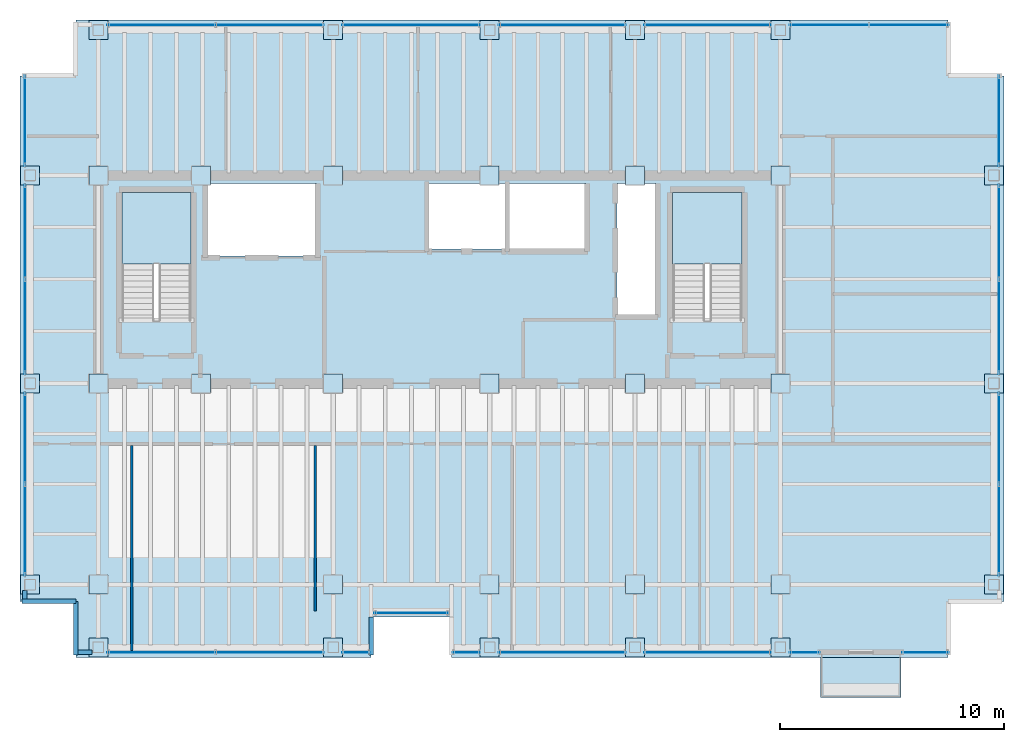
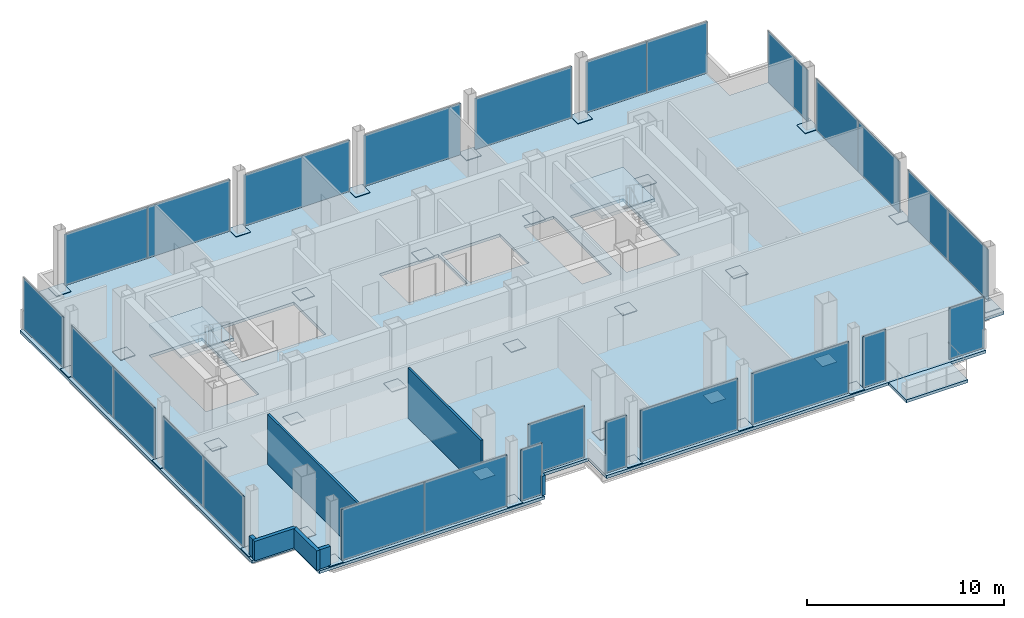
# One storey, part 12 of 16: 59 plates, 7 walls, 4 slabs, 6 openings, 21 elements without a shape of their own.
"""IFC4 building model written with IfcOpenShell, lengths in metres."""

import ifcopenshell
import ifcopenshell.guid

model = None  # the IFC model being written
_history = None  # IfcOwnerHistory: only IFC2X3 demands one
_inside = {}  # id of a spatial element -> (the spatial element, [elements in it])
_under = {}  # id of a project, library or spatial element -> (it, [spatial elements below it])
_declared = {}  # id of a project -> (the project, [libraries it declares])
_typed = {}  # id of a type object -> (the type object, [elements of that type])
_made_of = {}  # id of a material, layer set ... -> (it, [elements and type objects made of it])


def new_model(schema):
    """Start an empty IFC model of exactly this schema.

    Asked for "IFC4X3", IfcOpenShell would pick the latest addendum, in which some entities
    have other attributes; the version numbers below select the first issue.
    IFC2X3 requires an IfcOwnerHistory on every rooted entity: one is made here for all.
    """
    global model, _history
    if schema == "IFC4X3":
        model = ifcopenshell.file(schema_version=(4, 3, 0, 0))
    else:
        model = ifcopenshell.file(schema=schema)
    _inside.clear()
    _under.clear()
    _declared.clear()
    _typed.clear()
    _made_of.clear()
    _history = None
    if model.schema == "IFC2X3":
        org = make("IfcOrganization", Name="unknown")
        user = make(
            "IfcPersonAndOrganization",
            ThePerson=make("IfcPerson", FamilyName="unknown"),
            TheOrganization=org,
        )
        app = make(
            "IfcApplication",
            ApplicationDeveloper=org,
            Version="unknown",
            ApplicationFullName="unknown",
            ApplicationIdentifier="unknown",
        )
        _history = make(
            "IfcOwnerHistory",
            OwningUser=user,
            OwningApplication=app,
            ChangeAction="ADDED",
            CreationDate=0,
        )
    return model


def make(cls, **values):
    """One entity of the class cls with the attributes given. An attribute that is None is left unset."""
    return model.create_entity(
        cls, **{name: value for name, value in values.items() if value is not None}
    )


def rooted(cls, **values):
    """An entity with a GlobalId (a new one), such as an element, a storey or a relation."""
    return make(cls, GlobalId=ifcopenshell.guid.new(), OwnerHistory=_history, **values)


def si_unit(unit_type, name, prefix=None):
    """IfcSIUnit, for example si_unit("LENGTHUNIT", "METRE", prefix="MILLI")."""
    return make("IfcSIUnit", UnitType=unit_type, Prefix=prefix, Name=name)


def assignment(units):
    """IfcUnitAssignment: the units of a project."""
    return None if units is None else make("IfcUnitAssignment", Units=units)


def point(xyz):
    """IfcCartesianPoint."""
    return None if xyz is None else make("IfcCartesianPoint", Coordinates=xyz)


def direction(xyz):
    """IfcDirection."""
    return None if xyz is None else make("IfcDirection", DirectionRatios=xyz)


def frame(location, z_axis=None, x_axis=None):
    """IfcAxis2Placement3D, a coordinate frame: its origin and axes. An axis left out is left unset."""
    return make(
        "IfcAxis2Placement3D",
        Location=point(location),
        Axis=direction(z_axis),
        RefDirection=direction(x_axis),
    )


def frame_2d(location, x_axis=None):
    """IfcAxis2Placement2D, a coordinate frame in the plane: its origin and x axis."""
    return make(
        "IfcAxis2Placement2D", Location=point(location), RefDirection=direction(x_axis)
    )


def origin():
    """The frame at (0, 0, 0) with its axes left unset."""
    return frame((0.0, 0.0, 0.0))


def origin_2d():
    """The frame at (0, 0) in the plane with its x axis left unset."""
    return frame_2d((0.0, 0.0))


def place(relative_to, where):
    """IfcLocalPlacement: puts the frame where relative to a parent placement (None: the world)."""
    return make(
        "IfcLocalPlacement", PlacementRelTo=relative_to, RelativePlacement=where
    )


def context(
    kind, dimensions, precision=None, world=None, true_north=None, identifier=None
):
    """IfcGeometricRepresentationContext, for example the 3D "Model" context."""
    return make(
        "IfcGeometricRepresentationContext",
        ContextIdentifier=identifier,
        ContextType=kind,
        CoordinateSpaceDimension=dimensions,
        Precision=precision,
        WorldCoordinateSystem=world,
        TrueNorth=true_north,
    )


def subcontext(parent, identifier, kind, view, scale=None):
    """IfcGeometricRepresentationSubContext, for example "Body" below "Model"."""
    return make(
        "IfcGeometricRepresentationSubContext",
        ContextIdentifier=identifier,
        ContextType=kind,
        ParentContext=parent,
        TargetScale=scale,
        TargetView=view,
    )


def project(units=None, contexts=None):
    """IfcProject with its units and contexts."""
    return rooted(
        "IfcProject",
        Name="project",
        RepresentationContexts=contexts,
        UnitsInContext=assignment(units),
    )


def spatial(cls, under=None, at=None, **own):
    """A site, building, storey or space (cls), placed at a placement, below another one or the project."""
    s = rooted(cls, ObjectPlacement=at, **own)
    if under is not None:
        _under.setdefault(under.id(), (under, []))[1].append(s)
    return s


def polyline(points):
    """IfcPolyline through the points."""
    return make("IfcPolyline", Points=[point(p) for p in points])


def profile(cls, at=None, kind="AREA", **sizes):
    """A parametric profile (cls). Its sizes go by their IFC names, for example OverallWidth=200.0."""
    return make(cls, ProfileType=kind, Position=at, **sizes)


def rectangle(**sizes):
    """IfcRectangleProfileDef."""
    return profile("IfcRectangleProfileDef", **sizes)


def outline(outer, holes=None, kind="AREA"):
    """IfcArbitraryClosedProfileDef: a profile drawn as a closed curve; with holes, ...WithVoids."""
    if holes is None:
        return make("IfcArbitraryClosedProfileDef", ProfileType=kind, OuterCurve=outer)
    return make(
        "IfcArbitraryProfileDefWithVoids",
        ProfileType=kind,
        OuterCurve=outer,
        InnerCurves=holes,
    )


def extrude(swept, where, along, depth):
    """IfcExtrudedAreaSolid: the profile swept, set in the frame where, extruded along a direction by depth."""
    return make(
        "IfcExtrudedAreaSolid",
        SweptArea=swept,
        Position=where,
        ExtrudedDirection=direction(along),
        Depth=depth,
    )


def shape(context_of_items, identifier, shape_type, items):
    """IfcShapeRepresentation: the items that make up one representation, for example the "Body"."""
    return make(
        "IfcShapeRepresentation",
        ContextOfItems=context_of_items,
        RepresentationIdentifier=identifier,
        RepresentationType=shape_type,
        Items=items,
    )


def material(Name=None, Category=None):
    """IfcMaterial."""
    return make("IfcMaterial", Name=Name, Category=Category)


def layer(
    of_material, thickness, ventilated=None, Name=None, Category=None, Priority=None
):
    """IfcMaterialLayer: one layer of a wall or slab, of a material (None: an air gap)."""
    return make(
        "IfcMaterialLayer",
        Material=of_material,
        LayerThickness=thickness,
        IsVentilated=ventilated,
        Name=Name,
        Category=Category,
        Priority=Priority,
    )


def layer_set(layers, Name=None):
    """IfcMaterialLayerSet."""
    return make("IfcMaterialLayerSet", MaterialLayers=layers, LayerSetName=Name)


def made_of(thing, what):
    """Note that an element or type object is made of a material, layer set ...; save() writes the relation."""
    if what is not None:
        _made_of.setdefault(what.id(), (what, []))[1].append(thing)
    return thing


def type_object(cls, material=None, **own):
    """A type object (cls), such as IfcWallType, which elements share."""
    return made_of(rooted(cls, **own), material)


def element(
    cls,
    number,
    at=None,
    inside=None,
    cuts=None,
    type_object=None,
    material=None,
    context=None,
    identifier="Body",
    shape_type=None,
    held_by="IfcProductDefinitionShape",
    body=None,
    shapes=None,
    **own,
):
    """One element of the class cls, such as IfcWall. Its Tag is "e" and its number.

    at: its placement. inside: the storey or other place that contains it. cuts: it is an
    opening in that element (IfcRelVoidsElement). A single representation is given by context,
    identifier, shape_type and body (its items); several are given by shapes. held_by: the class
    of the entity that holds the representations. save() writes the other relations.
    """
    e = rooted(cls, Tag="e%d" % number, ObjectPlacement=at, **own)
    if body is not None:
        shapes = [shape(context, identifier, shape_type, body)]
    if shapes is not None:
        e.Representation = make(held_by, Representations=shapes)
    if inside is not None:
        _inside.setdefault(inside.id(), (inside, []))[1].append(e)
    if cuts is not None:
        rooted(
            "IfcRelVoidsElement", RelatingBuildingElement=cuts, RelatedOpeningElement=e
        )
    if type_object is not None:
        _typed.setdefault(type_object.id(), (type_object, []))[1].append(e)
    return made_of(e, material)


def aggregate(whole, parts):
    """IfcRelAggregates: a whole, such as a stair, and the parts it consists of."""
    return rooted("IfcRelAggregates", RelatingObject=whole, RelatedObjects=parts)


def save(model, path):
    """Write the relations noted so far, then the file.

    IfcRelAggregates (storeys below a building ...), IfcRelContainedInSpatialStructure (elements
    in a storey), IfcRelDefinesByType, IfcRelAssociatesMaterial and IfcRelDeclares: one each for
    every whole, place, type object, material and project.
    """
    for whole, parts in _under.values():
        aggregate(whole, parts)
    for where, things in _inside.values():
        rooted(
            "IfcRelContainedInSpatialStructure",
            RelatedElements=things,
            RelatingStructure=where,
        )
    for kind, things in _typed.values():
        rooted("IfcRelDefinesByType", RelatedObjects=things, RelatingType=kind)
    for what, things in _made_of.values():
        rooted("IfcRelAssociatesMaterial", RelatedObjects=things, RelatingMaterial=what)
    for by, libraries in _declared.values():
        rooted("IfcRelDeclares", RelatingContext=by, RelatedDefinitions=libraries)
    model.write(path)


model = new_model("IFC4")

# Units and contexts
model_context = context("Model", 3, precision=1e-05, world=origin(), true_north=direction((0.0, 1.0)))
body_context = subcontext(model_context, "Body", "Model", "MODEL_VIEW")
ifc_project = project(units=[si_unit("LENGTHUNIT", "METRE"), si_unit("AREAUNIT", "SQUARE_METRE"), si_unit("VOLUMEUNIT", "CUBIC_METRE"), si_unit("PLANEANGLEUNIT", "RADIAN"), si_unit("MASSUNIT", "GRAM", prefix="KILO")], contexts=[model_context])

# Site, building, storey
site_placement = place(None, origin())
site = spatial("IfcSite", under=ifc_project, at=site_placement, CompositionType="ELEMENT")
building_placement = place(site_placement, origin())
building = spatial("IfcBuilding", under=site, at=building_placement, Name="Noeulbin Bourse Tower", CompositionType="ELEMENT")
storey_placement = place(building_placement, frame((0.0, 0.0, 185.10009765625)))
storey = spatial("IfcBuildingStorey", under=building, at=storey_placement, Name="L46", CompositionType="ELEMENT", Elevation=185.10009765625)

# Curtain wall, plate
ifc_material_1 = material(Name="Dark Tinted Triple Glazing", Category="glass")
curtain_wall_type = type_object("IfcCurtainWallType", Name="CW-SYS-3", PredefinedType="NOTDEFINED", material=ifc_material_1)
curtain_wall_1_placement = place(storey_placement, origin())
curtain_wall_1 = element("IfcCurtainWall", 1, at=curtain_wall_1_placement, inside=storey, type_object=curtain_wall_type, Name="Unitised Curtain Wall CW-L46-SREC", PredefinedType="NOTDEFINED")
ifc_layer_1 = layer(ifc_material_1, 0.035888671875)
ifc_layer_set_1 = layer_set([ifc_layer_1], Name="Dark Tinted Triple Glazing")
plate_type_1 = type_object("IfcPlateType", Name="CW-SYS-3-PNL", PredefinedType="CURTAIN_PANEL", material=ifc_layer_set_1)
plate_1_placement = place(storey_placement, frame((27.5, 18.72998046875, 0.0), z_axis=(0.0, 0.0, 1.0), x_axis=(1.0, 0.0, 0.0)))
plate_1 = element("IfcPlate", 2, at=plate_1_placement, type_object=plate_type_1, Name="Glazed Curtain Panel CW-L46-SREC-P00", PredefinedType="CURTAIN_PANEL", context=body_context, shape_type="SweptSolid", body=[
    extrude(rectangle(XDim=3.300048828125, YDim=0.035888671875, at=origin_2d()), origin(), (0.0, 0.0, 1.0), 3.179931640625),
])
aggregate(curtain_wall_1, [plate_1])

# Curtain wall, plates
curtain_wall_2_placement = place(storey_placement, origin())
curtain_wall_2 = element("IfcCurtainWall", 3, at=curtain_wall_2_placement, inside=storey, type_object=curtain_wall_type, Name="Unitised Curtain Wall CW-L46-S1-S1", PredefinedType="NOTDEFINED")
plate_2_placement = place(storey_placement, frame((16.330078125, 16.969970703125, 0.0), z_axis=(0.0, 0.0, 1.0), x_axis=(1.0, 0.0, 0.0)))
plate_2 = element("IfcPlate", 4, at=plate_2_placement, type_object=plate_type_1, Name="Glazed Curtain Panel CW-L46-S1-S1-P00", PredefinedType="CURTAIN_PANEL", context=body_context, shape_type="SweptSolid", body=[
    extrude(rectangle(XDim=4.840087890625, YDim=0.035888671875, at=origin_2d()), origin(), (0.0, 0.0, 1.0), 3.179931640625),
])
plate_3_placement = place(storey_placement, frame((21.169921875, 16.969970703125, 0.0), z_axis=(0.0, 0.0, 1.0), x_axis=(1.0, 0.0, 0.0)))
plate_3 = element("IfcPlate", 5, at=plate_3_placement, type_object=plate_type_1, Name="Glazed Curtain Panel CW-L46-S1-S1-P01", PredefinedType="CURTAIN_PANEL", context=body_context, shape_type="SweptSolid", body=[
    extrude(rectangle(XDim=4.840087890625, YDim=0.035888671875, at=origin_2d()), origin(), (0.0, 0.0, 1.0), 3.179931640625),
])
aggregate(curtain_wall_2, [plate_2, plate_3])

# Curtain wall, plate
curtain_wall_3_placement = place(storey_placement, origin())
curtain_wall_3 = element("IfcCurtainWall", 6, at=curtain_wall_3_placement, inside=storey, type_object=curtain_wall_type, Name="Unitised Curtain Wall CW-L46-S1-S2", PredefinedType="NOTDEFINED")
plate_4_placement = place(storey_placement, frame((25.030029296875, 16.969970703125, 0.0), z_axis=(0.0, 0.0, 1.0), x_axis=(1.0, 0.0, 0.0)))
plate_4 = element("IfcPlate", 7, at=plate_4_placement, type_object=plate_type_1, Name="Glazed Curtain Panel CW-L46-S1-S2-P00", PredefinedType="CURTAIN_PANEL", context=body_context, shape_type="SweptSolid", body=[
    extrude(rectangle(XDim=1.239990234375, YDim=0.035888671875, at=origin_2d()), origin(), (0.0, 0.0, 1.0), 3.179931640625),
])
aggregate(curtain_wall_3, [plate_4])

curtain_wall_4_placement = place(storey_placement, origin())
curtain_wall_4 = element("IfcCurtainWall", 8, at=curtain_wall_4_placement, inside=storey, type_object=curtain_wall_type, Name="Unitised Curtain Wall CW-L46-S2-S1", PredefinedType="NOTDEFINED")
plate_5_placement = place(storey_placement, frame((29.969970703125, 16.969970703125, 0.0), z_axis=(0.0, 0.0, 1.0), x_axis=(1.0, 0.0, 0.0)))
plate_5 = element("IfcPlate", 9, at=plate_5_placement, type_object=plate_type_1, Name="Glazed Curtain Panel CW-L46-S2-S1-P00", PredefinedType="CURTAIN_PANEL", context=body_context, shape_type="SweptSolid", body=[
    extrude(rectangle(XDim=1.239990234375, YDim=0.035888671875, at=origin_2d()), origin(), (0.0, 0.0, 1.0), 3.179931640625),
])
aggregate(curtain_wall_4, [plate_5])

curtain_wall_5_placement = place(storey_placement, origin())
curtain_wall_5 = element("IfcCurtainWall", 10, at=curtain_wall_5_placement, inside=storey, type_object=curtain_wall_type, Name="Unitised Curtain Wall CW-L46-S2-S2", PredefinedType="NOTDEFINED")
plate_6_placement = place(storey_placement, frame((34.25, 16.969970703125, 0.0), z_axis=(0.0, 0.0, 1.0), x_axis=(1.0, 0.0, 0.0)))
plate_6 = element("IfcPlate", 11, at=plate_6_placement, type_object=plate_type_1, Name="Glazed Curtain Panel CW-L46-S2-S2-P00", PredefinedType="CURTAIN_PANEL", context=body_context, shape_type="SweptSolid", body=[
    extrude(rectangle(XDim=5.679931640625, YDim=0.035888671875, at=origin_2d()), origin(), (0.0, 0.0, 1.0), 3.179931640625),
])
aggregate(curtain_wall_5, [plate_6])

curtain_wall_6_placement = place(storey_placement, origin())
curtain_wall_6 = element("IfcCurtainWall", 12, at=curtain_wall_6_placement, inside=storey, type_object=curtain_wall_type, Name="Unitised Curtain Wall CW-L46-S2-S3", PredefinedType="NOTDEFINED")
plate_7_placement = place(storey_placement, frame((40.75, 16.969970703125, 0.0), z_axis=(0.0, 0.0, 1.0), x_axis=(1.0, 0.0, 0.0)))
plate_7 = element("IfcPlate", 13, at=plate_7_placement, type_object=plate_type_1, Name="Glazed Curtain Panel CW-L46-S2-S3-P00", PredefinedType="CURTAIN_PANEL", context=body_context, shape_type="SweptSolid", body=[
    extrude(rectangle(XDim=5.679931640625, YDim=0.035888671875, at=origin_2d()), origin(), (0.0, 0.0, 1.0), 3.179931640625),
])
aggregate(curtain_wall_6, [plate_7])

curtain_wall_7_placement = place(storey_placement, origin())
curtain_wall_7 = element("IfcCurtainWall", 14, at=curtain_wall_7_placement, inside=storey, type_object=curtain_wall_type, Name="Unitised Curtain Wall CW-L46-S2-S4", PredefinedType="NOTDEFINED")
plate_8_placement = place(storey_placement, frame((45.080078125, 16.969970703125, 0.0), z_axis=(0.0, 0.0, 1.0), x_axis=(1.0, 0.0, 0.0)))
plate_8 = element("IfcPlate", 15, at=plate_8_placement, type_object=plate_type_1, Name="Glazed Curtain Panel CW-L46-S2-S4-P00", PredefinedType="CURTAIN_PANEL", context=body_context, shape_type="SweptSolid", body=[
    extrude(rectangle(XDim=1.340087890625, YDim=0.035888671875, at=origin_2d()), origin(), (0.0, 0.0, 1.0), 3.179931640625),
])
aggregate(curtain_wall_7, [plate_8])

curtain_wall_8_placement = place(storey_placement, origin())
curtain_wall_8 = element("IfcCurtainWall", 16, at=curtain_wall_8_placement, inside=storey, type_object=curtain_wall_type, Name="Unitised Curtain Wall CW-L46-S3", PredefinedType="NOTDEFINED")
plate_9_placement = place(storey_placement, frame((50.485107421875, 16.969970703125, 0.0), z_axis=(0.0, 0.0, 1.0), x_axis=(1.0, 0.0, 0.0)))
plate_9 = element("IfcPlate", 17, at=plate_9_placement, type_object=plate_type_1, Name="Glazed Curtain Panel CW-L46-S3-P00", PredefinedType="CURTAIN_PANEL", context=body_context, shape_type="SweptSolid", body=[
    extrude(rectangle(XDim=2.070068359375, YDim=0.035888671875, at=origin_2d()), origin(), (0.0, 0.0, 1.0), 3.179931640625),
])
aggregate(curtain_wall_8, [plate_9])

# Curtain wall, plates
curtain_wall_9_placement = place(storey_placement, origin())
curtain_wall_9 = element("IfcCurtainWall", 18, at=curtain_wall_9_placement, inside=storey, type_object=curtain_wall_type, Name="Unitised Curtain Wall CW-L46-N-S1", PredefinedType="NOTDEFINED")
plate_10_placement = place(storey_placement, frame((16.330078125, 45.030029296875, 0.0), z_axis=(0.0, 0.0, 1.0), x_axis=(1.0, 0.0, 0.0)))
plate_10 = element("IfcPlate", 19, at=plate_10_placement, type_object=plate_type_1, Name="Glazed Curtain Panel CW-L46-N-S1-P00", PredefinedType="CURTAIN_PANEL", context=body_context, shape_type="SweptSolid", body=[
    extrude(rectangle(XDim=4.840087890625, YDim=0.035888671875, at=origin_2d()), origin(), (0.0, 0.0, 1.0), 3.179931640625),
])
plate_11_placement = place(storey_placement, frame((21.169921875, 45.030029296875, 0.0), z_axis=(0.0, 0.0, 1.0), x_axis=(1.0, 0.0, 0.0)))
plate_11 = element("IfcPlate", 20, at=plate_11_placement, type_object=plate_type_1, Name="Glazed Curtain Panel CW-L46-N-S1-P01", PredefinedType="CURTAIN_PANEL", context=body_context, shape_type="SweptSolid", body=[
    extrude(rectangle(XDim=4.840087890625, YDim=0.035888671875, at=origin_2d()), origin(), (0.0, 0.0, 1.0), 3.179931640625),
])
aggregate(curtain_wall_9, [plate_10, plate_11])

# Curtain wall, plate
curtain_wall_10_placement = place(storey_placement, origin())
curtain_wall_10 = element("IfcCurtainWall", 21, at=curtain_wall_10_placement, inside=storey, type_object=curtain_wall_type, Name="Unitised Curtain Wall CW-L46-N-S2", PredefinedType="NOTDEFINED")
plate_12_placement = place(storey_placement, frame((27.5, 45.030029296875, 0.0), z_axis=(0.0, 0.0, 1.0), x_axis=(1.0, 0.0, 0.0)))
plate_12 = element("IfcPlate", 22, at=plate_12_placement, type_object=plate_type_1, Name="Glazed Curtain Panel CW-L46-N-S2-P00", PredefinedType="CURTAIN_PANEL", context=body_context, shape_type="SweptSolid", body=[
    extrude(rectangle(XDim=6.179931640625, YDim=0.035888671875, at=origin_2d()), origin(), (0.0, 0.0, 1.0), 3.179931640625),
])
aggregate(curtain_wall_10, [plate_12])

curtain_wall_11_placement = place(storey_placement, origin())
curtain_wall_11 = element("IfcCurtainWall", 23, at=curtain_wall_11_placement, inside=storey, type_object=curtain_wall_type, Name="Unitised Curtain Wall CW-L46-N-S3", PredefinedType="NOTDEFINED")
plate_13_placement = place(storey_placement, frame((34.25, 45.030029296875, 0.0), z_axis=(0.0, 0.0, 1.0), x_axis=(1.0, 0.0, 0.0)))
plate_13 = element("IfcPlate", 24, at=plate_13_placement, type_object=plate_type_1, Name="Glazed Curtain Panel CW-L46-N-S3-P00", PredefinedType="CURTAIN_PANEL", context=body_context, shape_type="SweptSolid", body=[
    extrude(rectangle(XDim=5.679931640625, YDim=0.035888671875, at=origin_2d()), origin(), (0.0, 0.0, 1.0), 3.179931640625),
])
aggregate(curtain_wall_11, [plate_13])

curtain_wall_12_placement = place(storey_placement, origin())
curtain_wall_12 = element("IfcCurtainWall", 25, at=curtain_wall_12_placement, inside=storey, type_object=curtain_wall_type, Name="Unitised Curtain Wall CW-L46-N-S4", PredefinedType="NOTDEFINED")
plate_14_placement = place(storey_placement, frame((40.75, 45.030029296875, 0.0), z_axis=(0.0, 0.0, 1.0), x_axis=(1.0, 0.0, 0.0)))
plate_14 = element("IfcPlate", 26, at=plate_14_placement, type_object=plate_type_1, Name="Glazed Curtain Panel CW-L46-N-S4-P00", PredefinedType="CURTAIN_PANEL", context=body_context, shape_type="SweptSolid", body=[
    extrude(rectangle(XDim=5.679931640625, YDim=0.035888671875, at=origin_2d()), origin(), (0.0, 0.0, 1.0), 3.179931640625),
])
aggregate(curtain_wall_12, [plate_14])

# Curtain wall, plates
curtain_wall_13_placement = place(storey_placement, origin())
curtain_wall_13 = element("IfcCurtainWall", 27, at=curtain_wall_13_placement, inside=storey, type_object=curtain_wall_type, Name="Unitised Curtain Wall CW-L46-N-S5", PredefinedType="NOTDEFINED")
plate_15_placement = place(storey_placement, frame((46.1875, 45.030029296875, 0.0), z_axis=(0.0, 0.0, 1.0), x_axis=(1.0, 0.0, 0.0)))
plate_15 = element("IfcPlate", 28, at=plate_15_placement, type_object=plate_type_1, Name="Glazed Curtain Panel CW-L46-N-S5-P00", PredefinedType="CURTAIN_PANEL", context=body_context, shape_type="SweptSolid", body=[
    extrude(rectangle(XDim=3.554931640625, YDim=0.035888671875, at=origin_2d()), origin(), (0.0, 0.0, 1.0), 3.179931640625),
])
plate_16_placement = place(storey_placement, frame((49.742431640625, 45.030029296875, 0.0), z_axis=(0.0, 0.0, 1.0), x_axis=(1.0, 0.0, 0.0)))
plate_16 = element("IfcPlate", 29, at=plate_16_placement, type_object=plate_type_1, Name="Glazed Curtain Panel CW-L46-N-S5-P01", PredefinedType="CURTAIN_PANEL", context=body_context, shape_type="SweptSolid", body=[
    extrude(rectangle(XDim=3.554931640625, YDim=0.035888671875, at=origin_2d()), origin(), (0.0, 0.0, 1.0), 3.179931640625),
])
aggregate(curtain_wall_13, [plate_15, plate_16])

curtain_wall_14_placement = place(storey_placement, origin())
curtain_wall_14 = element("IfcCurtainWall", 30, at=curtain_wall_14_placement, inside=storey, type_object=curtain_wall_type, Name="Unitised Curtain Wall CW-L46-W-S1", PredefinedType="NOTDEFINED")
plate_17_placement = place(storey_placement, frame((10.219970703125, 22.455078125, 0.0), z_axis=(0.0, 0.0, 1.0), x_axis=(0.0, 1.0, 0.0)))
plate_17 = element("IfcPlate", 31, at=plate_17_placement, type_object=plate_type_1, Name="Glazed Curtain Panel CW-L46-W-S1-P00", PredefinedType="CURTAIN_PANEL", context=body_context, shape_type="SweptSolid", body=[
    extrude(rectangle(XDim=4.090087890625, YDim=0.035888671875, at=origin_2d()), origin(), (0.0, 0.0, 1.0), 3.179931640625),
])
plate_18_placement = place(storey_placement, frame((10.219970703125, 26.544921875, 0.0), z_axis=(0.0, 0.0, 1.0), x_axis=(0.0, 1.0, 0.0)))
plate_18 = element("IfcPlate", 32, at=plate_18_placement, type_object=plate_type_1, Name="Glazed Curtain Panel CW-L46-W-S1-P01", PredefinedType="CURTAIN_PANEL", context=body_context, shape_type="SweptSolid", body=[
    extrude(rectangle(XDim=4.090087890625, YDim=0.035888671875, at=origin_2d()), origin(), (0.0, 0.0, 1.0), 3.179931640625),
])
aggregate(curtain_wall_14, [plate_17, plate_18])

curtain_wall_15_placement = place(storey_placement, origin())
curtain_wall_15 = element("IfcCurtainWall", 33, at=curtain_wall_15_placement, inside=storey, type_object=curtain_wall_type, Name="Unitised Curtain Wall CW-L46-W-S2", PredefinedType="NOTDEFINED")
plate_19_placement = place(storey_placement, frame((10.219970703125, 31.530029296875, 0.0), z_axis=(0.0, 0.0, 1.0), x_axis=(0.0, 1.0, 0.0)))
plate_19 = element("IfcPlate", 34, at=plate_19_placement, type_object=plate_type_1, Name="Glazed Curtain Panel CW-L46-W-S2-P00", PredefinedType="CURTAIN_PANEL", context=body_context, shape_type="SweptSolid", body=[
    extrude(rectangle(XDim=4.239990234375, YDim=0.035888671875, at=origin_2d()), origin(), (0.0, 0.0, 1.0), 3.179931640625),
])
plate_20_placement = place(storey_placement, frame((10.219970703125, 35.77001953125, 0.0), z_axis=(0.0, 0.0, 1.0), x_axis=(0.0, 1.0, 0.0)))
plate_20 = element("IfcPlate", 35, at=plate_20_placement, type_object=plate_type_1, Name="Glazed Curtain Panel CW-L46-W-S2-P01", PredefinedType="CURTAIN_PANEL", context=body_context, shape_type="SweptSolid", body=[
    extrude(rectangle(XDim=4.239990234375, YDim=0.035888671875, at=origin_2d()), origin(), (0.0, 0.0, 1.0), 3.179931640625),
])
aggregate(curtain_wall_15, [plate_19, plate_20])

# Curtain wall, plate
curtain_wall_16_placement = place(storey_placement, origin())
curtain_wall_16 = element("IfcCurtainWall", 36, at=curtain_wall_16_placement, inside=storey, type_object=curtain_wall_type, Name="Unitised Curtain Wall CW-L46-W-S3", PredefinedType="NOTDEFINED")
plate_21_placement = place(storey_placement, frame((10.219970703125, 40.739990234375, 0.0), z_axis=(0.0, 0.0, 1.0), x_axis=(0.0, 1.0, 0.0)))
plate_21 = element("IfcPlate", 37, at=plate_21_placement, type_object=plate_type_1, Name="Glazed Curtain Panel CW-L46-W-S3-P00", PredefinedType="CURTAIN_PANEL", context=body_context, shape_type="SweptSolid", body=[
    extrude(rectangle(XDim=4.06005859375, YDim=0.035888671875, at=origin_2d()), origin(), (0.0, 0.0, 1.0), 3.179931640625),
])
aggregate(curtain_wall_16, [plate_21])

# Curtain wall, plates
curtain_wall_17_placement = place(storey_placement, origin())
curtain_wall_17 = element("IfcCurtainWall", 38, at=curtain_wall_17_placement, inside=storey, type_object=curtain_wall_type, Name="Unitised Curtain Wall CW-L46-E-S1", PredefinedType="NOTDEFINED")
plate_22_placement = place(storey_placement, frame((53.780029296875, 22.455078125, 0.0), z_axis=(0.0, 0.0, 1.0), x_axis=(0.0, 1.0, 0.0)))
plate_22 = element("IfcPlate", 39, at=plate_22_placement, type_object=plate_type_1, Name="Glazed Curtain Panel CW-L46-E-S1-P00", PredefinedType="CURTAIN_PANEL", context=body_context, shape_type="SweptSolid", body=[
    extrude(rectangle(XDim=4.090087890625, YDim=0.035888671875, at=origin_2d()), origin(), (0.0, 0.0, 1.0), 3.179931640625),
])
plate_23_placement = place(storey_placement, frame((53.780029296875, 26.544921875, 0.0), z_axis=(0.0, 0.0, 1.0), x_axis=(0.0, 1.0, 0.0)))
plate_23 = element("IfcPlate", 40, at=plate_23_placement, type_object=plate_type_1, Name="Glazed Curtain Panel CW-L46-E-S1-P01", PredefinedType="CURTAIN_PANEL", context=body_context, shape_type="SweptSolid", body=[
    extrude(rectangle(XDim=4.090087890625, YDim=0.035888671875, at=origin_2d()), origin(), (0.0, 0.0, 1.0), 3.179931640625),
])
aggregate(curtain_wall_17, [plate_22, plate_23])

curtain_wall_18_placement = place(storey_placement, origin())
curtain_wall_18 = element("IfcCurtainWall", 41, at=curtain_wall_18_placement, inside=storey, type_object=curtain_wall_type, Name="Unitised Curtain Wall CW-L46-E-S2", PredefinedType="NOTDEFINED")
plate_24_placement = place(storey_placement, frame((53.780029296875, 31.530029296875, 0.0), z_axis=(0.0, 0.0, 1.0), x_axis=(0.0, 1.0, 0.0)))
plate_24 = element("IfcPlate", 42, at=plate_24_placement, type_object=plate_type_1, Name="Glazed Curtain Panel CW-L46-E-S2-P00", PredefinedType="CURTAIN_PANEL", context=body_context, shape_type="SweptSolid", body=[
    extrude(rectangle(XDim=4.239990234375, YDim=0.035888671875, at=origin_2d()), origin(), (0.0, 0.0, 1.0), 3.179931640625),
])
plate_25_placement = place(storey_placement, frame((53.780029296875, 35.77001953125, 0.0), z_axis=(0.0, 0.0, 1.0), x_axis=(0.0, 1.0, 0.0)))
plate_25 = element("IfcPlate", 43, at=plate_25_placement, type_object=plate_type_1, Name="Glazed Curtain Panel CW-L46-E-S2-P01", PredefinedType="CURTAIN_PANEL", context=body_context, shape_type="SweptSolid", body=[
    extrude(rectangle(XDim=4.239990234375, YDim=0.035888671875, at=origin_2d()), origin(), (0.0, 0.0, 1.0), 3.179931640625),
])
aggregate(curtain_wall_18, [plate_24, plate_25])

# Curtain wall, plate
curtain_wall_19_placement = place(storey_placement, origin())
curtain_wall_19 = element("IfcCurtainWall", 44, at=curtain_wall_19_placement, inside=storey, type_object=curtain_wall_type, Name="Unitised Curtain Wall CW-L46-E-S3", PredefinedType="NOTDEFINED")
plate_26_placement = place(storey_placement, frame((53.780029296875, 40.739990234375, 0.0), z_axis=(0.0, 0.0, 1.0), x_axis=(0.0, 1.0, 0.0)))
plate_26 = element("IfcPlate", 45, at=plate_26_placement, type_object=plate_type_1, Name="Glazed Curtain Panel CW-L46-E-S3-P00", PredefinedType="CURTAIN_PANEL", context=body_context, shape_type="SweptSolid", body=[
    extrude(rectangle(XDim=4.06005859375, YDim=0.035888671875, at=origin_2d()), origin(), (0.0, 0.0, 1.0), 3.179931640625),
])
aggregate(curtain_wall_19, [plate_26])

# Plates
ifc_material_2 = material(Name="Steel S355", Category="steel")
ifc_layer_2 = layer(ifc_material_2, 0.030029296875)
ifc_layer_set_2 = layer_set([ifc_layer_2], Name="Steel S355")
plate_type_2 = type_object("IfcPlateType", Name="PLT-BN1", PredefinedType="USERDEFINED", material=ifc_layer_set_2)
for number, where, z_axis, x_axis, name in (
    (46, (13.5, 29.0, 0.0048828125), (0.0, 0.0, 1.0), (1.0, 0.0, 0.0), "Mega-Column Splice Plate BN1-L46-01"),
    (47, (13.5, 38.300048828125, 0.0048828125), (0.0, 0.0, 1.0), (1.0, 0.0, 0.0), "Mega-Column Splice Plate BN1-L46-02"),
    (48, (18.10009765625, 29.0, 0.0048828125), (0.0, 0.0, 1.0), (1.0, 0.0, 0.0), "Mega-Column Splice Plate BN1-L46-03"),
    (49, (18.10009765625, 38.300048828125, 0.0048828125), (0.0, 0.0, 1.0), (1.0, 0.0, 0.0), "Mega-Column Splice Plate BN1-L46-04"),
    (50, (24.0, 29.0, 0.0048828125), (0.0, 0.0, 1.0), (1.0, 0.0, 0.0), "Mega-Column Splice Plate BN1-L46-05"),
    (51, (24.0, 38.300048828125, 0.0048828125), (0.0, 0.0, 1.0), (1.0, 0.0, 0.0), "Mega-Column Splice Plate BN1-L46-06"),
    (52, (31.0, 29.0, 0.0048828125), (0.0, 0.0, 1.0), (1.0, 0.0, 0.0), "Mega-Column Splice Plate BN1-L46-07"),
    (53, (31.0, 38.300048828125, 0.0048828125), (0.0, 0.0, 1.0), (1.0, 0.0, 0.0), "Mega-Column Splice Plate BN1-L46-08"),
    (54, (37.5, 29.0, 0.0048828125), (0.0, 0.0, 1.0), (1.0, 0.0, 0.0), "Mega-Column Splice Plate BN1-L46-09"),
    (55, (37.5, 38.300048828125, 0.0048828125), (0.0, 0.0, 1.0), (1.0, 0.0, 0.0), "Mega-Column Splice Plate BN1-L46-10"),
    (56, (44.0, 29.0, 0.0048828125), (0.0, 0.0, 1.0), (1.0, 0.0, 0.0), "Mega-Column Splice Plate BN1-L46-11"),
    (57, (44.0, 38.300048828125, 0.0048828125), (0.0, 0.0, 1.0), (1.0, 0.0, 0.0), "Mega-Column Splice Plate BN1-L46-12"),
    (58, (13.5, 20.0, 0.0048828125), (0.0, 0.0, 1.0), (1.0, 0.0, 0.0), "Mega-Column Splice Plate BN1-L46-13"),
    (59, (24.0, 20.0, 0.0048828125), (0.0, 0.0, 1.0), (1.0, 0.0, 0.0), "Mega-Column Splice Plate BN1-L46-14"),
    (60, (31.0, 20.0, 0.0048828125), (0.0, 0.0, 1.0), (1.0, 0.0, 0.0), "Mega-Column Splice Plate BN1-L46-15"),
    (61, (37.5, 20.0, 0.0048828125), (0.0, 0.0, 1.0), (1.0, 0.0, 0.0), "Mega-Column Splice Plate BN1-L46-16"),
    (62, (44.0, 20.0, 0.0048828125), (0.0, 0.0, 1.0), (1.0, 0.0, 0.0), "Mega-Column Splice Plate BN1-L46-17"),
    (63, (10.449951171875, 20.0, 0.0048828125), (0.0, 0.0, 1.0), (1.0, 0.0, 0.0), "Perimeter Column Splice Plate BN1-L46-01"),
    (64, (10.449951171875, 29.0, 0.0048828125), (0.0, 0.0, 1.0), (1.0, 0.0, 0.0), "Perimeter Column Splice Plate BN1-L46-02"),
    (65, (10.449951171875, 38.300048828125, 0.0048828125), (0.0, 0.0, 1.0), (1.0, 0.0, 0.0), "Perimeter Column Splice Plate BN1-L46-03"),
    (66, (13.5, 17.199951171875, 0.0048828125), (0.0, 0.0, 1.0), (1.0, 0.0, 0.0), "Perimeter Column Splice Plate BN1-L46-04"),
    (67, (13.5, 44.800048828125, 0.0048828125), (0.0, 0.0, 1.0), (1.0, 0.0, 0.0), "Perimeter Column Splice Plate BN1-L46-05"),
    (68, (24.0, 17.199951171875, 0.0048828125), (0.0, 0.0, 1.0), (1.0, 0.0, 0.0), "Perimeter Column Splice Plate BN1-L46-06"),
    (69, (24.0, 44.800048828125, 0.0048828125), (0.0, 0.0, 1.0), (1.0, 0.0, 0.0), "Perimeter Column Splice Plate BN1-L46-07"),
    (70, (31.0, 17.199951171875, 0.0048828125), (0.0, 0.0, 1.0), (1.0, 0.0, 0.0), "Perimeter Column Splice Plate BN1-L46-08"),
    (71, (31.0, 44.800048828125, 0.0048828125), (0.0, 0.0, 1.0), (1.0, 0.0, 0.0), "Perimeter Column Splice Plate BN1-L46-09"),
    (72, (37.5, 17.199951171875, 0.0048828125), (0.0, 0.0, 1.0), (1.0, 0.0, 0.0), "Perimeter Column Splice Plate BN1-L46-10"),
    (73, (37.5, 44.800048828125, 0.0048828125), (0.0, 0.0, 1.0), (1.0, 0.0, 0.0), "Perimeter Column Splice Plate BN1-L46-11"),
    (74, (44.0, 17.199951171875, 0.0048828125), (0.0, 0.0, 1.0), (1.0, 0.0, 0.0), "Perimeter Column Splice Plate BN1-L46-12"),
    (75, (44.0, 44.800048828125, 0.0048828125), (0.0, 0.0, 1.0), (1.0, 0.0, 0.0), "Perimeter Column Splice Plate BN1-L46-13"),
    (76, (53.550048828125, 20.0, 0.0048828125), (0.0, 0.0, 1.0), (1.0, 0.0, 0.0), "Perimeter Column Splice Plate BN1-L46-14"),
    (77, (53.550048828125, 29.0, 0.0048828125), (0.0, 0.0, 1.0), (1.0, 0.0, 0.0), "Perimeter Column Splice Plate BN1-L46-15"),
    (78, (53.550048828125, 38.300048828125, 0.0048828125), (0.0, 0.0, 1.0), (1.0, 0.0, 0.0), "Perimeter Column Splice Plate BN1-L46-16"),
):
    element("IfcPlate", number, at=place(storey_placement, frame(where, z_axis=z_axis, x_axis=x_axis)), inside=storey, type_object=plate_type_2, Name=name, ObjectType="SPLICE PLATE", PredefinedType="USERDEFINED", context=body_context, shape_type="SweptSolid", body=[
        extrude(rectangle(XDim=0.85009765625, YDim=0.85009765625, at=origin_2d()), origin(), (0.0, 0.0, 1.0), 0.030029296875),
    ])

# Stair, slab
ifc_material_3 = material(Name="Concrete C40/50", Category="concrete")
stair_type = type_object("IfcStairType", Name="STR-CORE-1560", PredefinedType="HALF_TURN_STAIR", material=ifc_material_3)
stair_1_placement = place(storey_placement, origin())
stair_1 = element("IfcStair", 79, at=stair_1_placement, inside=storey, type_object=stair_type, Name="L46 ST-1", PredefinedType="HALF_TURN_STAIR")
ifc_layer_3 = layer(ifc_material_3, 0.199951171875)
ifc_layer_set_3 = layer_set([ifc_layer_3], Name="Concrete C40/50")
slab_type_1 = type_object("IfcSlabType", Name="SLB-LND-200", PredefinedType="LANDING", material=ifc_layer_set_3)
slab_1_placement = place(storey_placement, frame((0.0, 0.0, 1.75)))
slab_1 = element("IfcSlab", 80, at=slab_1_placement, type_object=slab_type_1, Name="ST-1 landing 1", PredefinedType="LANDING", context=body_context, shape_type="SweptSolid", body=[
    extrude(outline(polyline([(17.64990234375, 34.330078125), (17.64990234375, 37.5439453125), (14.550048828125, 37.5439453125), (14.550048828125, 34.330078125), (17.64990234375, 34.330078125)])), origin(), (0.0, 0.0, 1.0), 0.199951171875),
])
aggregate(stair_1, [slab_1])

stair_2_placement = place(storey_placement, origin())
stair_2 = element("IfcStair", 81, at=stair_2_placement, inside=storey, type_object=stair_type, Name="L46 ST-2", PredefinedType="HALF_TURN_STAIR")
slab_2_placement = place(storey_placement, frame((0.0, 0.0, 1.75)))
slab_2 = element("IfcSlab", 82, at=slab_2_placement, type_object=slab_type_1, Name="ST-2 landing 1", PredefinedType="LANDING", context=body_context, shape_type="SweptSolid", body=[
    extrude(outline(polyline([(42.280029296875, 34.330078125), (42.280029296875, 37.5439453125), (39.179931640625, 37.5439453125), (39.179931640625, 34.330078125), (42.280029296875, 34.330078125)])), origin(), (0.0, 0.0, 1.0), 0.199951171875),
])
aggregate(stair_2, [slab_2])

# Slab, openings
ifc_layer_4 = layer(ifc_material_3, 0.179931640625)
ifc_layer_set_4 = layer_set([ifc_layer_4], Name="Concrete C40/50")
slab_type_2 = type_object("IfcSlabType", Name="SLB-TYP-180", PredefinedType="FLOOR", material=ifc_layer_set_4)
slab_3_placement = place(storey_placement, frame((0.0, 0.0, -0.18017578125)))
slab_3 = element("IfcSlab", 83, at=slab_3_placement, inside=storey, type_object=slab_type_2, Name="Tower Structural Floor Slab L46", PredefinedType="FLOOR", context=body_context, shape_type="SweptSolid", body=[
    extrude(outline(polyline([(12.5, 16.75), (25.699951171875, 16.75), (25.699951171875, 18.550048828125), (29.300048828125, 18.550048828125), (29.300048828125, 16.75), (51.5, 16.75), (51.5, 19.25), (54.0, 19.25), (54.0, 42.75), (51.5, 42.75), (51.5, 45.25), (12.5, 45.25), (12.5, 42.75), (10.0, 42.75), (10.0, 19.25), (12.5, 19.25), (12.5, 16.75)]), holes=[polyline([(17.64990234375, 31.81005859375), (17.64990234375, 37.5439453125), (14.550048828125, 37.5439453125), (14.550048828125, 31.81005859375), (17.64990234375, 31.81005859375)]), polyline([(42.280029296875, 31.81005859375), (42.280029296875, 37.5439453125), (39.179931640625, 37.5439453125), (39.179931640625, 31.81005859375), (42.280029296875, 31.81005859375)]), polyline([(18.35009765625, 34.699951171875), (23.25, 34.699951171875), (23.25, 37.949951171875), (18.35009765625, 37.949951171875), (18.35009765625, 34.699951171875)]), polyline([(36.699951171875, 32.050048828125), (38.449951171875, 32.050048828125), (38.449951171875, 37.949951171875), (36.699951171875, 37.949951171875), (36.699951171875, 32.050048828125)]), polyline([(28.25, 35.0), (31.699951171875, 35.0), (31.699951171875, 37.949951171875), (28.25, 37.949951171875), (28.25, 35.0)]), polyline([(31.85009765625, 35.0), (35.300048828125, 35.0), (35.300048828125, 37.949951171875), (31.85009765625, 37.949951171875), (31.85009765625, 35.0)])]), origin(), (0.0, 0.0, 1.0), 0.18017578125),
])
opening_1_placement = place(slab_3_placement, frame((0.0, 0.0, -0.010009765625)))
element("IfcOpeningElement", 84, at=opening_1_placement, cuts=slab_3, Name="Slab Shaft Opening SLB-L46-TWR-1", PredefinedType="OPENING", context=body_context, shape_type="SweptSolid", body=[
    extrude(outline(polyline([(17.64990234375, 31.81005859375), (17.64990234375, 37.5439453125), (14.550048828125, 37.5439453125), (14.550048828125, 31.81005859375), (17.64990234375, 31.81005859375)])), origin(), (0.0, 0.0, 1.0), 0.2001953125),
])
opening_2_placement = place(slab_3_placement, frame((0.0, 0.0, -0.010009765625)))
element("IfcOpeningElement", 85, at=opening_2_placement, cuts=slab_3, Name="Slab Shaft Opening SLB-L46-TWR-2", PredefinedType="OPENING", context=body_context, shape_type="SweptSolid", body=[
    extrude(outline(polyline([(42.280029296875, 31.81005859375), (42.280029296875, 37.5439453125), (39.179931640625, 37.5439453125), (39.179931640625, 31.81005859375), (42.280029296875, 31.81005859375)])), origin(), (0.0, 0.0, 1.0), 0.2001953125),
])
opening_3_placement = place(slab_3_placement, frame((0.0, 0.0, -0.010009765625)))
element("IfcOpeningElement", 86, at=opening_3_placement, cuts=slab_3, Name="Slab Shaft Opening SLB-L46-TWR-3", PredefinedType="OPENING", context=body_context, shape_type="SweptSolid", body=[
    extrude(outline(polyline([(18.35009765625, 34.699951171875), (23.25, 34.699951171875), (23.25, 37.949951171875), (18.35009765625, 37.949951171875), (18.35009765625, 34.699951171875)])), origin(), (0.0, 0.0, 1.0), 0.2001953125),
])
opening_4_placement = place(slab_3_placement, frame((0.0, 0.0, -0.010009765625)))
element("IfcOpeningElement", 87, at=opening_4_placement, cuts=slab_3, Name="Slab Shaft Opening SLB-L46-TWR-4", PredefinedType="OPENING", context=body_context, shape_type="SweptSolid", body=[
    extrude(outline(polyline([(36.699951171875, 32.050048828125), (38.449951171875, 32.050048828125), (38.449951171875, 37.949951171875), (36.699951171875, 37.949951171875), (36.699951171875, 32.050048828125)])), origin(), (0.0, 0.0, 1.0), 0.2001953125),
])
opening_5_placement = place(slab_3_placement, frame((0.0, 0.0, -0.010009765625)))
element("IfcOpeningElement", 88, at=opening_5_placement, cuts=slab_3, Name="Slab Shaft Opening SLB-L46-TWR-5", PredefinedType="OPENING", context=body_context, shape_type="SweptSolid", body=[
    extrude(outline(polyline([(28.25, 35.0), (31.699951171875, 35.0), (31.699951171875, 37.949951171875), (28.25, 37.949951171875), (28.25, 35.0)])), origin(), (0.0, 0.0, 1.0), 0.2001953125),
])
opening_6_placement = place(slab_3_placement, frame((0.0, 0.0, -0.010009765625)))
element("IfcOpeningElement", 89, at=opening_6_placement, cuts=slab_3, Name="Slab Shaft Opening SLB-L46-TWR-6", PredefinedType="OPENING", context=body_context, shape_type="SweptSolid", body=[
    extrude(outline(polyline([(31.85009765625, 35.0), (35.300048828125, 35.0), (35.300048828125, 37.949951171875), (31.85009765625, 37.949951171875), (31.85009765625, 35.0)])), origin(), (0.0, 0.0, 1.0), 0.2001953125),
])

# Slab
slab_4_placement = place(storey_placement, frame((0.0, 0.0, -0.18017578125)))
element("IfcSlab", 90, at=slab_4_placement, inside=storey, type_object=slab_type_2, Name="Cantilevered Tree-Balcony Slab L46", PredefinedType="FLOOR", context=body_context, shape_type="SweptSolid", body=[
    extrude(outline(polyline([(45.800048828125, 14.949951171875), (49.39990234375, 14.949951171875), (49.39990234375, 16.75), (45.800048828125, 16.75), (45.800048828125, 14.949951171875)])), origin(), (0.0, 0.0, 1.0), 0.18017578125),
])

# Walls
ifc_layer_5 = layer(ifc_material_3, 0.199951171875)
ifc_layer_set_5 = layer_set([ifc_layer_5], Name="Concrete C40/50")
wall_type_1 = type_object("IfcWallType", Name="WAL-PAR-200", PredefinedType="PARAPET", material=ifc_layer_set_5)
wall_1_placement = place(storey_placement, frame((10.219970703125, 19.35009765625, 0.0), z_axis=(0.0, 0.0, 1.0), x_axis=(0.0, 1.0, 0.0)))
element("IfcWall", 91, at=wall_1_placement, inside=storey, type_object=wall_type_1, Name="Perimeter Pier Spandrel Parapet L46-W2", PredefinedType="PARAPET", context=body_context, shape_type="SweptSolid", body=[
    extrude(rectangle(XDim=0.3798828125, YDim=0.199951171875, at=frame_2d((0.18994140625, 0.0))), origin(), (0.0, 0.0, 1.0), 1.199951171875),
])
wall_2_placement = place(storey_placement, frame((12.60009765625, 16.969970703125, 0.0), z_axis=(0.0, 0.0, 1.0), x_axis=(1.0, 0.0, 0.0)))
element("IfcWall", 92, at=wall_2_placement, inside=storey, type_object=wall_type_1, Name="Perimeter Pier Spandrel Parapet L46-S4", PredefinedType="PARAPET", context=body_context, shape_type="SweptSolid", body=[
    extrude(rectangle(XDim=0.6298828125, YDim=0.199951171875, at=frame_2d((0.31494140625, 0.0))), origin(), (0.0, 0.0, 1.0), 1.199951171875),
])
for number, where, z_axis, x_axis, name in (
    (93, (10.10009765625, 19.25, 0.0), (0.0, 0.0, 1.0), (1.0, 0.0, 0.0), "Corner Notch Parapet L46-SW1"),
    (94, (12.5, 19.25, 0.0), (0.0, 0.0, 1.0), (0.0, -1.0, 0.0), "Corner Notch Parapet L46-SW2"),
):
    element("IfcWall", number, at=place(storey_placement, frame(where, z_axis=z_axis, x_axis=x_axis)), inside=storey, type_object=wall_type_1, Name=name, PredefinedType="PARAPET", context=body_context, shape_type="SweptSolid", body=[
        extrude(rectangle(XDim=2.39990234375, YDim=0.199951171875, at=frame_2d((1.199951171875, 0.0))), origin(), (0.0, 0.0, 1.0), 1.199951171875),
    ])
wall_3_placement = place(storey_placement, frame((25.699951171875, 16.85009765625, 0.0), z_axis=(0.0, 0.0, 1.0), x_axis=(0.0, 1.0, 0.0)))
element("IfcWall", 95, at=wall_3_placement, inside=storey, type_object=wall_type_1, Name="Sky-Garden Recess Parapet L46-W", PredefinedType="PARAPET", context=body_context, shape_type="SweptSolid", body=[
    extrude(rectangle(XDim=1.699951171875, YDim=0.199951171875, at=frame_2d((0.85009765625, 0.0))), origin(), (0.0, 0.0, 1.0), 1.199951171875),
])
ifc_material_4 = material(Name="Steel Stud Gypsum Partition", Category="steel")
ifc_layer_6 = layer(ifc_material_4, 0.1201171875)
ifc_layer_set_6 = layer_set([ifc_layer_6], Name="Steel Stud Gypsum Partition")
wall_type_2 = type_object("IfcWallType", Name="WAL-PRT-120", PredefinedType="PARTITIONING", material=ifc_layer_set_6)
wall_4_placement = place(storey_placement, frame((15.0, 17.06005859375, 0.0), z_axis=(0.0, 0.0, 1.0), x_axis=(0.0, 1.0, 0.0)))
element("IfcWall", 96, at=wall_4_placement, inside=storey, type_object=wall_type_2, Name="Interior Partition Wall L46-14", PredefinedType="PARTITIONING", context=body_context, shape_type="SweptSolid", body=[
    extrude(rectangle(XDim=9.155029296875, YDim=0.1201171875, at=frame_2d((4.57763671875, 0.0))), origin(), (0.0, 0.0, 1.0), 3.099853515625),
])
wall_5_placement = place(storey_placement, frame((23.199951171875, 18.820068359375, 0.0), z_axis=(0.0, 0.0, 1.0), x_axis=(0.0, 1.0, 0.0)))
element("IfcWall", 97, at=wall_5_placement, inside=storey, type_object=wall_type_2, Name="Interior Partition Wall L46-15", PredefinedType="PARTITIONING", context=body_context, shape_type="SweptSolid", body=[
    extrude(rectangle(XDim=7.39501953125, YDim=0.1201171875, at=frame_2d((3.697509765625, 0.0))), origin(), (0.0, 0.0, 1.0), 3.099853515625),
])

save(model, "model.ifc")
